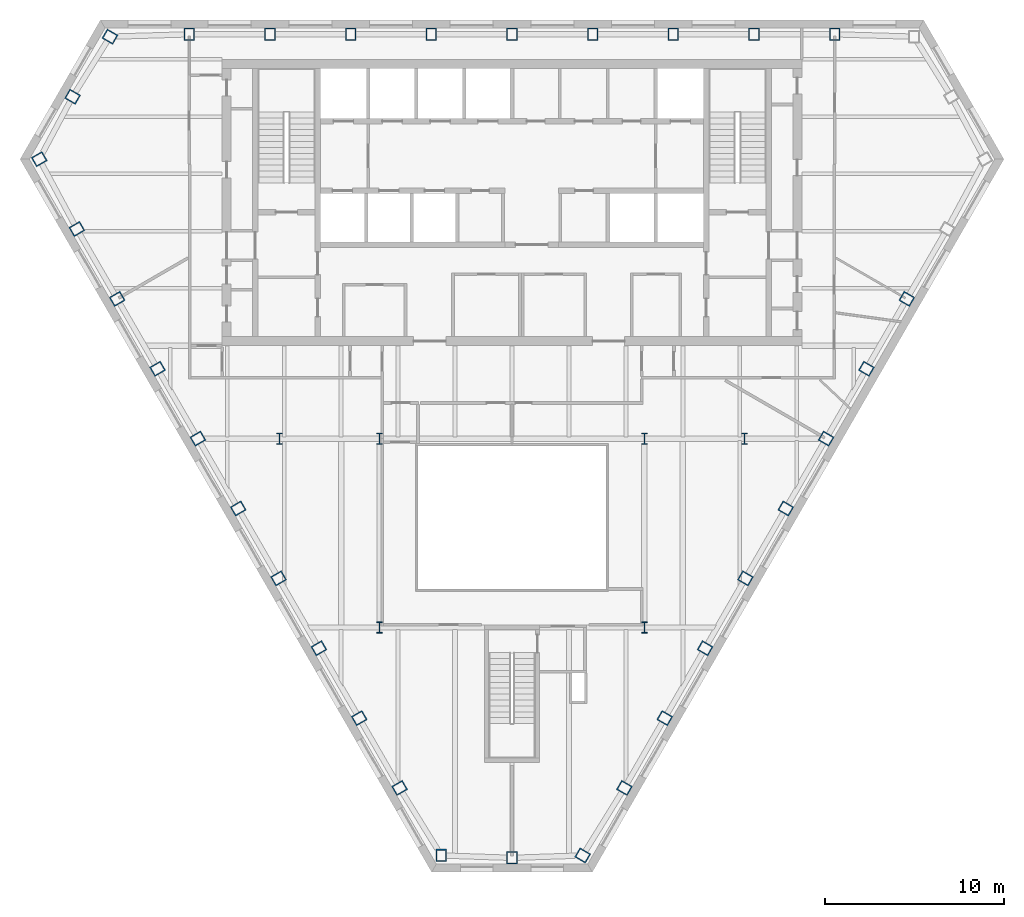
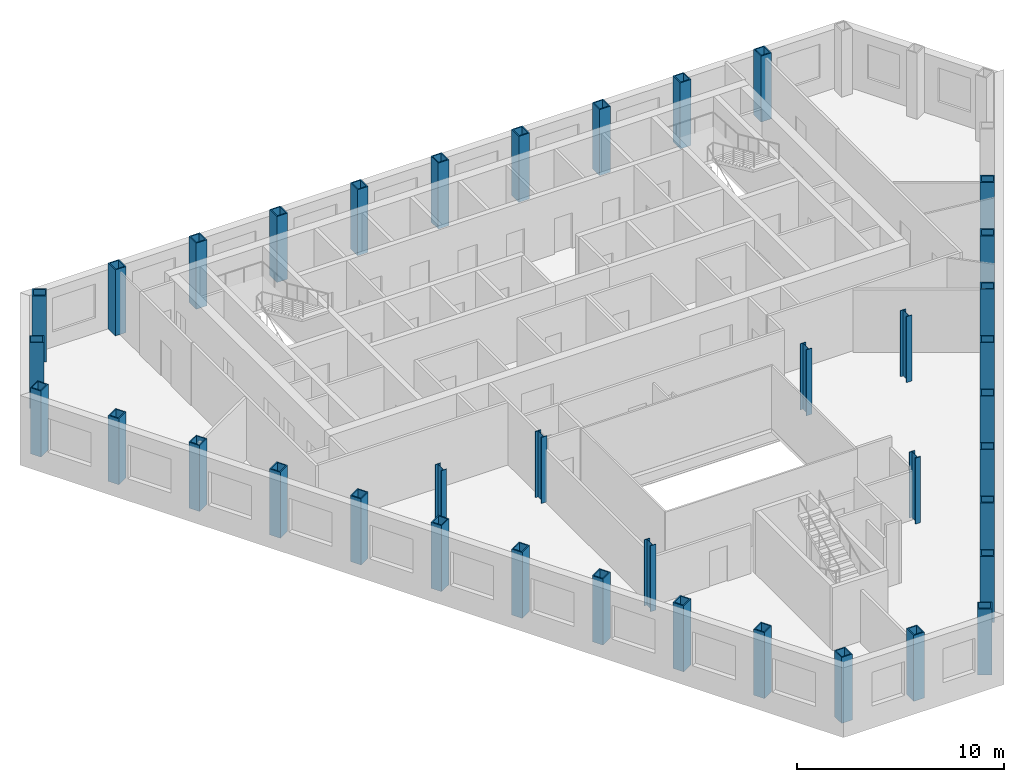
# One storey, part 1 of 11: 38 columns.
"""IFC4 building model written with IfcOpenShell, lengths in metres."""

from ifc_helpers import new_model, si_unit, direction, frame, origin, origin_2d, place, context, subcontext, project, spatial, hollow_rectangle, i_section, extrude, material, material_profile, profile_set, type_object, element, save


model = new_model("IFC4")

# Units and contexts
model_context = context("Model", 3, precision=1e-05, world=origin(), true_north=direction((0.0, 1.0)))
body_context = subcontext(model_context, "Body", "Model", "MODEL_VIEW")
ifc_project = project(units=[si_unit("LENGTHUNIT", "METRE"), si_unit("AREAUNIT", "SQUARE_METRE"), si_unit("VOLUMEUNIT", "CUBIC_METRE"), si_unit("PLANEANGLEUNIT", "RADIAN"), si_unit("MASSUNIT", "GRAM", prefix="KILO")], contexts=[model_context])

# Site, building, storey
site_placement = place(None, origin())
site = spatial("IfcSite", under=ifc_project, at=site_placement, CompositionType="ELEMENT")
building_placement = place(site_placement, origin())
building = spatial("IfcBuilding", under=site, at=building_placement, Name="Njiva Tower", CompositionType="ELEMENT")
storey_placement = place(building_placement, frame((0.0, 0.0, 147.6)))
storey = spatial("IfcBuildingStorey", under=building, at=storey_placement, Name="L31", CompositionType="ELEMENT", Elevation=147.6)

# Columns
ifc_material = material(Name="Steel S355 J2", Category="steel")
ifc_material_profile_1 = material_profile(ifc_material, i_section(OverallWidth=0.305, OverallDepth=0.62, WebThickness=0.021, FlangeThickness=0.04, at=origin_2d()), Name="HEM 600")
ifc_profile_set_1 = profile_set([ifc_material_profile_1], Name="Steel S355 J2")
column_type_1 = type_object("IfcColumnType", Name="C10 Interior column HEM 600", PredefinedType="COLUMN", material=ifc_profile_set_1)
for number, where, z_axis, x_axis, name in (
    (1, (7.4, -3.2, 0.0), (0.0, 0.0, 1.0), (1.0, 0.0, 0.0), "Interior column S10-C37"),
    (2, (-7.4, -3.2, 0.0), (0.0, 0.0, 1.0), (1.0, 0.0, 0.0), "Interior column S10-C38"),
    (3, (7.4, -13.75, 0.0), (0.0, 0.0, 1.0), (1.0, 0.0, 0.0), "Interior column S10-C39"),
    (4, (-7.4, -13.75, 0.0), (0.0, 0.0, 1.0), (1.0, 0.0, 0.0), "Interior column S10-C40"),
    (5, (13.0, -3.2, 0.0), (0.0, 0.0, 1.0), (1.0, 0.0, 0.0), "Interior column S10-C41"),
    (6, (-13.0, -3.2, 0.0), (0.0, 0.0, 1.0), (1.0, 0.0, 0.0), "Interior column S10-C42"),
):
    element("IfcColumn", number, at=place(storey_placement, frame(where, z_axis=z_axis, x_axis=x_axis)), inside=storey, type_object=column_type_1, Name=name, PredefinedType="COLUMN", context=body_context, shape_type="SweptSolid", body=[
        extrude(i_section(OverallWidth=0.305, OverallDepth=0.62, WebThickness=0.021, FlangeThickness=0.04, at=origin_2d()), origin(), (0.0, 0.0, 1.0), 3.9),
    ])
ifc_material_profile_2 = material_profile(ifc_material, hollow_rectangle(XDim=0.6, YDim=0.7, WallThickness=0.06, at=origin_2d()), Name="BOX 700x600x60")
ifc_profile_set_2 = profile_set([ifc_material_profile_2], Name="Steel S355 J2")
column_type_2 = type_object("IfcColumnType", Name="C9 Perimeter tube column BOX 700x600x60", PredefinedType="COLUMN", material=ifc_profile_set_2)
for number, where, z_axis, x_axis, name in (
    (7, (18.034, 19.4, 0.0), (0.0, 0.0, 1.0), (-1.0, 0.0, 0.0), "Perimeter tube column S10-C02"),
    (8, (13.526, 19.4, 0.0), (0.0, 0.0, 1.0), (-1.0, 0.0, 0.0), "Perimeter tube column S10-C03"),
    (9, (9.017, 19.4, 0.0), (0.0, 0.0, 1.0), (-1.0, 0.0, 0.0), "Perimeter tube column S10-C04"),
    (10, (4.509, 19.4, 0.0), (0.0, 0.0, 1.0), (-1.0, 0.0, 0.0), "Perimeter tube column S10-C05"),
    (11, (0.0, 19.4, 0.0), (0.0, 0.0, 1.0), (-1.0, 0.0, 0.0), "Perimeter tube column S10-C06"),
    (12, (-4.509, 19.4, 0.0), (0.0, 0.0, 1.0), (-1.0, 0.0, 0.0), "Perimeter tube column S10-C07"),
    (13, (-9.017, 19.4, 0.0), (0.0, 0.0, 1.0), (-1.0, 0.0, 0.0), "Perimeter tube column S10-C08"),
    (14, (-13.526, 19.4, 0.0), (0.0, 0.0, 1.0), (-1.0, 0.0, 0.0), "Perimeter tube column S10-C09"),
    (15, (-18.034, 19.4, 0.0), (0.0, 0.0, 1.0), (-1.0, 0.0, 0.0), "Perimeter tube column S10-C10"),
    (16, (-22.466, 19.267, 0.0), (0.0, 0.0, 1.0), (-0.5, -0.866025403784, 0.0), "Perimeter tube column S10-C11"),
    (17, (-24.557, 15.912, 0.0), (0.0, 0.0, 1.0), (-0.5, -0.866025403784, 0.0), "Perimeter tube column S10-C12"),
    (18, (-26.418, 12.423, 0.0), (0.0, 0.0, 1.0), (0.5, -0.866025403784, 0.0), "Perimeter tube column S10-C13"),
    (19, (-24.317, 8.519, 0.0), (0.0, 0.0, 1.0), (0.5, -0.866025403784, 0.0), "Perimeter tube column S10-C14"),
    (20, (-22.063, 4.614, 0.0), (0.0, 0.0, 1.0), (0.5, -0.866025403784, 0.0), "Perimeter tube column S10-C15"),
    (21, (-19.808, 0.709, 0.0), (0.0, 0.0, 1.0), (0.5, -0.866025403784, 0.0), "Perimeter tube column S10-C16"),
    (22, (-17.554, -3.195, 0.0), (0.0, 0.0, 1.0), (0.5, -0.866025403784, 0.0), "Perimeter tube column S10-C17"),
    (23, (-15.3, -7.1, 0.0), (0.0, 0.0, 1.0), (0.5, -0.866025403784, 0.0), "Perimeter tube column S10-C18"),
    (24, (-13.045, -11.004, 0.0), (0.0, 0.0, 1.0), (0.5, -0.866025403784, 0.0), "Perimeter tube column S10-C19"),
    (25, (-10.791, -14.909, 0.0), (0.0, 0.0, 1.0), (0.5, -0.866025403784, 0.0), "Perimeter tube column S10-C20"),
    (26, (-8.537, -18.814, 0.0), (0.0, 0.0, 1.0), (0.5, -0.866025403784, 0.0), "Perimeter tube column S10-C21"),
    (27, (-6.282, -22.718, 0.0), (0.0, 0.0, 1.0), (0.5, -0.866025403784, 0.0), "Perimeter tube column S10-C22"),
    (28, (-3.951, -26.49, 0.0), (0.0, 0.0, 1.0), (1.0, 0.0, 0.0), "Perimeter tube column S10-C23"),
    (29, (0.0, -26.623, 0.0), (0.0, 0.0, 1.0), (1.0, 0.0, 0.0), "Perimeter tube column S10-C24"),
    (30, (3.951, -26.49, 0.0), (0.0, 0.0, 1.0), (0.5, 0.866025403784, 0.0), "Perimeter tube column S10-C25"),
    (31, (6.282, -22.718, 0.0), (0.0, 0.0, 1.0), (0.5, 0.866025403784, 0.0), "Perimeter tube column S10-C26"),
    (32, (8.537, -18.814, 0.0), (0.0, 0.0, 1.0), (0.5, 0.866025403784, 0.0), "Perimeter tube column S10-C27"),
    (33, (10.791, -14.909, 0.0), (0.0, 0.0, 1.0), (0.5, 0.866025403784, 0.0), "Perimeter tube column S10-C28"),
    (34, (13.045, -11.004, 0.0), (0.0, 0.0, 1.0), (0.5, 0.866025403784, 0.0), "Perimeter tube column S10-C29"),
    (35, (15.3, -7.1, 0.0), (0.0, 0.0, 1.0), (0.5, 0.866025403784, 0.0), "Perimeter tube column S10-C30"),
    (36, (17.554, -3.195, 0.0), (0.0, 0.0, 1.0), (0.5, 0.866025403784, 0.0), "Perimeter tube column S10-C31"),
    (37, (19.808, 0.709, 0.0), (0.0, 0.0, 1.0), (0.5, 0.866025403784, 0.0), "Perimeter tube column S10-C32"),
    (38, (22.063, 4.614, 0.0), (0.0, 0.0, 1.0), (0.5, 0.866025403784, 0.0), "Perimeter tube column S10-C33"),
):
    element("IfcColumn", number, at=place(storey_placement, frame(where, z_axis=z_axis, x_axis=x_axis)), inside=storey, type_object=column_type_2, Name=name, PredefinedType="COLUMN", context=body_context, shape_type="SweptSolid", body=[
        extrude(hollow_rectangle(XDim=0.6, YDim=0.7, WallThickness=0.06, at=origin_2d()), origin(), (0.0, 0.0, 1.0), 3.9),
    ])

save(model, "model.ifc")
